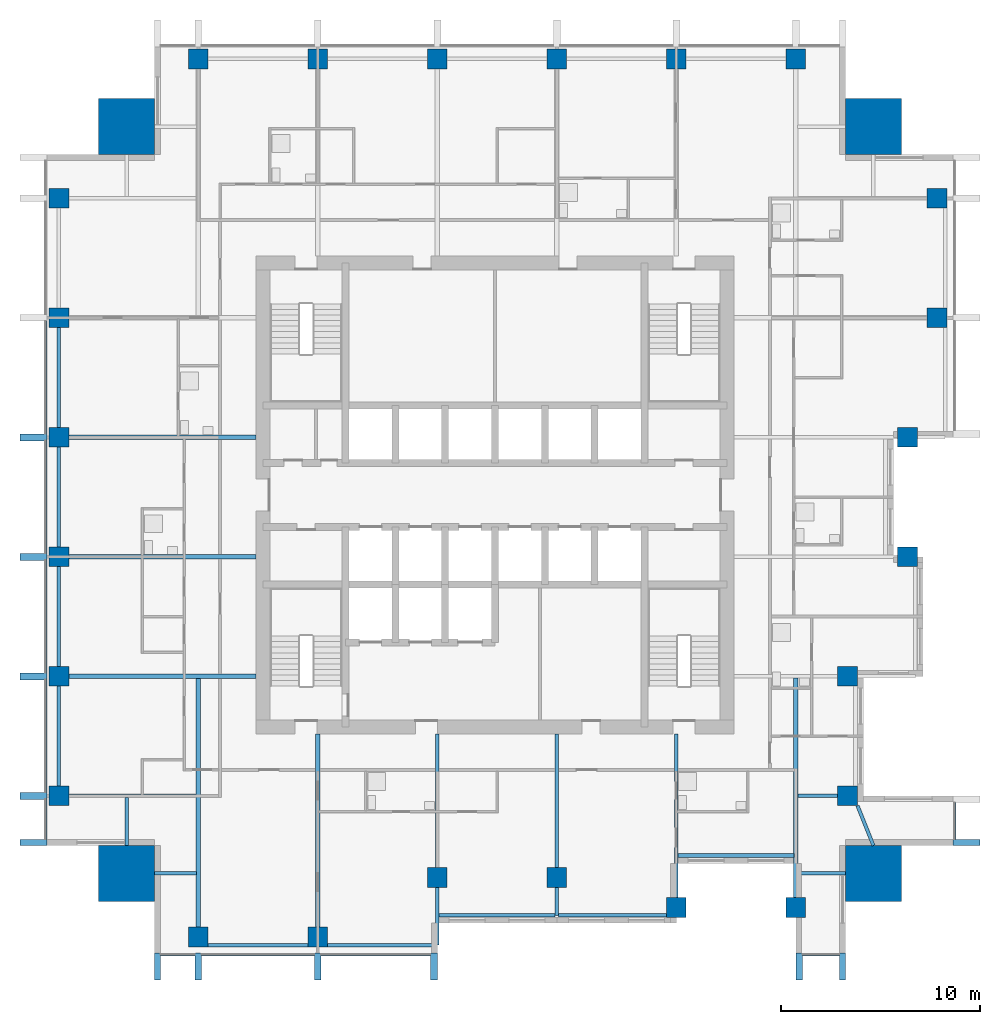
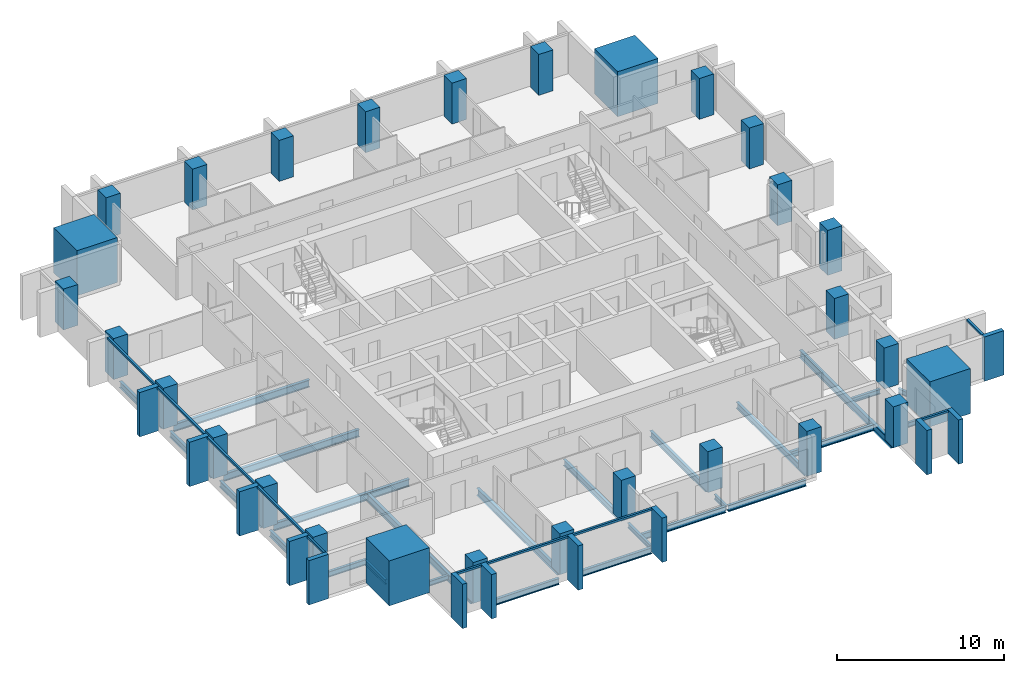
# One storey, part 1 of 10: 28 columns, 26 beams, 22 members, 4 elements without a shape of their own.
"""IFC4 building model written with IfcOpenShell, lengths in metres."""

import ifcopenshell
import ifcopenshell.guid

model = None  # the IFC model being written
_history = None  # IfcOwnerHistory: only IFC2X3 demands one
_inside = {}  # id of a spatial element -> (the spatial element, [elements in it])
_under = {}  # id of a project, library or spatial element -> (it, [spatial elements below it])
_declared = {}  # id of a project -> (the project, [libraries it declares])
_typed = {}  # id of a type object -> (the type object, [elements of that type])
_made_of = {}  # id of a material, layer set ... -> (it, [elements and type objects made of it])


def new_model(schema):
    """Start an empty IFC model of exactly this schema.

    Asked for "IFC4X3", IfcOpenShell would pick the latest addendum, in which some entities
    have other attributes; the version numbers below select the first issue.
    IFC2X3 requires an IfcOwnerHistory on every rooted entity: one is made here for all.
    """
    global model, _history
    if schema == "IFC4X3":
        model = ifcopenshell.file(schema_version=(4, 3, 0, 0))
    else:
        model = ifcopenshell.file(schema=schema)
    _inside.clear()
    _under.clear()
    _declared.clear()
    _typed.clear()
    _made_of.clear()
    _history = None
    if model.schema == "IFC2X3":
        org = make("IfcOrganization", Name="unknown")
        user = make(
            "IfcPersonAndOrganization",
            ThePerson=make("IfcPerson", FamilyName="unknown"),
            TheOrganization=org,
        )
        app = make(
            "IfcApplication",
            ApplicationDeveloper=org,
            Version="unknown",
            ApplicationFullName="unknown",
            ApplicationIdentifier="unknown",
        )
        _history = make(
            "IfcOwnerHistory",
            OwningUser=user,
            OwningApplication=app,
            ChangeAction="ADDED",
            CreationDate=0,
        )
    return model


def make(cls, **values):
    """One entity of the class cls with the attributes given. An attribute that is None is left unset."""
    return model.create_entity(
        cls, **{name: value for name, value in values.items() if value is not None}
    )


def rooted(cls, **values):
    """An entity with a GlobalId (a new one), such as an element, a storey or a relation."""
    return make(cls, GlobalId=ifcopenshell.guid.new(), OwnerHistory=_history, **values)


def si_unit(unit_type, name, prefix=None):
    """IfcSIUnit, for example si_unit("LENGTHUNIT", "METRE", prefix="MILLI")."""
    return make("IfcSIUnit", UnitType=unit_type, Prefix=prefix, Name=name)


def assignment(units):
    """IfcUnitAssignment: the units of a project."""
    return None if units is None else make("IfcUnitAssignment", Units=units)


def point(xyz):
    """IfcCartesianPoint."""
    return None if xyz is None else make("IfcCartesianPoint", Coordinates=xyz)


def direction(xyz):
    """IfcDirection."""
    return None if xyz is None else make("IfcDirection", DirectionRatios=xyz)


def frame(location, z_axis=None, x_axis=None):
    """IfcAxis2Placement3D, a coordinate frame: its origin and axes. An axis left out is left unset."""
    return make(
        "IfcAxis2Placement3D",
        Location=point(location),
        Axis=direction(z_axis),
        RefDirection=direction(x_axis),
    )


def frame_2d(location, x_axis=None):
    """IfcAxis2Placement2D, a coordinate frame in the plane: its origin and x axis."""
    return make(
        "IfcAxis2Placement2D", Location=point(location), RefDirection=direction(x_axis)
    )


def origin():
    """The frame at (0, 0, 0) with its axes left unset."""
    return frame((0.0, 0.0, 0.0))


def origin_2d():
    """The frame at (0, 0) in the plane with its x axis left unset."""
    return frame_2d((0.0, 0.0))


def place(relative_to, where):
    """IfcLocalPlacement: puts the frame where relative to a parent placement (None: the world)."""
    return make(
        "IfcLocalPlacement", PlacementRelTo=relative_to, RelativePlacement=where
    )


def context(
    kind, dimensions, precision=None, world=None, true_north=None, identifier=None
):
    """IfcGeometricRepresentationContext, for example the 3D "Model" context."""
    return make(
        "IfcGeometricRepresentationContext",
        ContextIdentifier=identifier,
        ContextType=kind,
        CoordinateSpaceDimension=dimensions,
        Precision=precision,
        WorldCoordinateSystem=world,
        TrueNorth=true_north,
    )


def subcontext(parent, identifier, kind, view, scale=None):
    """IfcGeometricRepresentationSubContext, for example "Body" below "Model"."""
    return make(
        "IfcGeometricRepresentationSubContext",
        ContextIdentifier=identifier,
        ContextType=kind,
        ParentContext=parent,
        TargetScale=scale,
        TargetView=view,
    )


def project(units=None, contexts=None):
    """IfcProject with its units and contexts."""
    return rooted(
        "IfcProject",
        Name="project",
        RepresentationContexts=contexts,
        UnitsInContext=assignment(units),
    )


def spatial(cls, under=None, at=None, **own):
    """A site, building, storey or space (cls), placed at a placement, below another one or the project."""
    s = rooted(cls, ObjectPlacement=at, **own)
    if under is not None:
        _under.setdefault(under.id(), (under, []))[1].append(s)
    return s


def profile(cls, at=None, kind="AREA", **sizes):
    """A parametric profile (cls). Its sizes go by their IFC names, for example OverallWidth=200.0."""
    return make(cls, ProfileType=kind, Position=at, **sizes)


def rectangle(**sizes):
    """IfcRectangleProfileDef."""
    return profile("IfcRectangleProfileDef", **sizes)


def i_section(**sizes):
    """IfcIShapeProfileDef."""
    return profile("IfcIShapeProfileDef", **sizes)


def extrude(swept, where, along, depth):
    """IfcExtrudedAreaSolid: the profile swept, set in the frame where, extruded along a direction by depth."""
    return make(
        "IfcExtrudedAreaSolid",
        SweptArea=swept,
        Position=where,
        ExtrudedDirection=direction(along),
        Depth=depth,
    )


def shape(context_of_items, identifier, shape_type, items):
    """IfcShapeRepresentation: the items that make up one representation, for example the "Body"."""
    return make(
        "IfcShapeRepresentation",
        ContextOfItems=context_of_items,
        RepresentationIdentifier=identifier,
        RepresentationType=shape_type,
        Items=items,
    )


def material(Name=None, Category=None):
    """IfcMaterial."""
    return make("IfcMaterial", Name=Name, Category=Category)


def material_profile(
    of_material, cross_section, Name=None, Category=None, Priority=None
):
    """IfcMaterialProfile: a cross section and its material."""
    return make(
        "IfcMaterialProfile",
        Name=Name,
        Material=of_material,
        Profile=cross_section,
        Priority=Priority,
        Category=Category,
    )


def profile_set(profiles, Name=None, composite=None):
    """IfcMaterialProfileSet."""
    return make(
        "IfcMaterialProfileSet",
        Name=Name,
        MaterialProfiles=profiles,
        CompositeProfile=composite,
    )


def made_of(thing, what):
    """Note that an element or type object is made of a material, layer set ...; save() writes the relation."""
    if what is not None:
        _made_of.setdefault(what.id(), (what, []))[1].append(thing)
    return thing


def type_object(cls, material=None, **own):
    """A type object (cls), such as IfcWallType, which elements share."""
    return made_of(rooted(cls, **own), material)


def element(
    cls,
    number,
    at=None,
    inside=None,
    cuts=None,
    type_object=None,
    material=None,
    context=None,
    identifier="Body",
    shape_type=None,
    held_by="IfcProductDefinitionShape",
    body=None,
    shapes=None,
    **own,
):
    """One element of the class cls, such as IfcWall. Its Tag is "e" and its number.

    at: its placement. inside: the storey or other place that contains it. cuts: it is an
    opening in that element (IfcRelVoidsElement). A single representation is given by context,
    identifier, shape_type and body (its items); several are given by shapes. held_by: the class
    of the entity that holds the representations. save() writes the other relations.
    """
    e = rooted(cls, Tag="e%d" % number, ObjectPlacement=at, **own)
    if body is not None:
        shapes = [shape(context, identifier, shape_type, body)]
    if shapes is not None:
        e.Representation = make(held_by, Representations=shapes)
    if inside is not None:
        _inside.setdefault(inside.id(), (inside, []))[1].append(e)
    if cuts is not None:
        rooted(
            "IfcRelVoidsElement", RelatingBuildingElement=cuts, RelatedOpeningElement=e
        )
    if type_object is not None:
        _typed.setdefault(type_object.id(), (type_object, []))[1].append(e)
    return made_of(e, material)


def aggregate(whole, parts):
    """IfcRelAggregates: a whole, such as a stair, and the parts it consists of."""
    return rooted("IfcRelAggregates", RelatingObject=whole, RelatedObjects=parts)


def save(model, path):
    """Write the relations noted so far, then the file.

    IfcRelAggregates (storeys below a building ...), IfcRelContainedInSpatialStructure (elements
    in a storey), IfcRelDefinesByType, IfcRelAssociatesMaterial and IfcRelDeclares: one each for
    every whole, place, type object, material and project.
    """
    for whole, parts in _under.values():
        aggregate(whole, parts)
    for where, things in _inside.values():
        rooted(
            "IfcRelContainedInSpatialStructure",
            RelatedElements=things,
            RelatingStructure=where,
        )
    for kind, things in _typed.values():
        rooted("IfcRelDefinesByType", RelatedObjects=things, RelatingType=kind)
    for what, things in _made_of.values():
        rooted("IfcRelAssociatesMaterial", RelatedObjects=things, RelatingMaterial=what)
    for by, libraries in _declared.values():
        rooted("IfcRelDeclares", RelatingContext=by, RelatedDefinitions=libraries)
    model.write(path)


model = new_model("IFC4")

# Units and contexts
model_context = context("Model", 3, precision=1e-05, world=origin(), true_north=direction((0.0, 1.0)))
body_context = subcontext(model_context, "Body", "Model", "MODEL_VIEW")
ifc_project = project(units=[si_unit("LENGTHUNIT", "METRE"), si_unit("AREAUNIT", "SQUARE_METRE"), si_unit("VOLUMEUNIT", "CUBIC_METRE"), si_unit("PLANEANGLEUNIT", "RADIAN"), si_unit("MASSUNIT", "GRAM", prefix="KILO")], contexts=[model_context])

# Site, building, storey
site_placement = place(None, origin())
site = spatial("IfcSite", under=ifc_project, at=site_placement, CompositionType="ELEMENT")
building_placement = place(site_placement, origin())
building = spatial("IfcBuilding", under=site, at=building_placement, Name="Amberfall Residences", CompositionType="ELEMENT")
storey_placement = place(building_placement, frame((0.0, 0.0, 147.10009765625)))
storey = spatial("IfcBuildingStorey", under=building, at=storey_placement, Name="L39", CompositionType="ELEMENT", Elevation=147.10009765625)

# Columns
ifc_material_1 = material(Name="Concrete C60", Category="concrete")
ifc_material_profile_1 = material_profile(ifc_material_1, rectangle(XDim=1.0, YDim=1.0, at=origin_2d()), Name="Column 1000 x 1000 C60")
ifc_profile_set_1 = profile_set([ifc_material_profile_1], Name="Concrete C60")
column_type_1 = type_object("IfcColumnType", Name="Column 1000 x 1000 C60", PredefinedType="COLUMN", material=ifc_profile_set_1)
for number, where, z_axis, x_axis, name in (
    (1, (59.60009765625, 23.300048828125, 0.0), (0.0, 0.0, 1.0), (1.0, 0.0, 0.0), "Column C3 L39 S1"),
    (2, (65.60009765625, 23.300048828125, 0.0), (0.0, 0.0, 1.0), (1.0, 0.0, 0.0), "Column C3 L39 S2"),
    (3, (71.60009765625, 26.300048828125, 0.0), (0.0, 0.0, 1.0), (1.0, 0.0, 0.0), "Column C3 L39 S3"),
    (4, (77.60009765625, 26.300048828125, 0.0), (0.0, 0.0, 1.0), (1.0, 0.0, 0.0), "Column C3 L39 S4"),
):
    element("IfcColumn", number, at=place(storey_placement, frame(where, z_axis=z_axis, x_axis=x_axis)), inside=storey, type_object=column_type_1, Name=name, PredefinedType="COLUMN", context=body_context, shape_type="SweptSolid", body=[
        extrude(rectangle(XDim=1.0, YDim=1.0, at=origin_2d()), origin(), (0.0, 0.0, 1.0), 3.0),
    ])
column_1_placement = place(storey_placement, frame((83.60009765625, 24.800048828125, 0.0), z_axis=(0.0, 0.0, 1.0), x_axis=(1.0, 0.0, 0.0)))
element("IfcColumn", 5, at=column_1_placement, inside=storey, type_object=column_type_1, Name="Column C3 L39 S5", PredefinedType="COLUMN", context=body_context, shape_type="SweptSolid", body=[
    extrude(rectangle(XDim=1.0, YDim=1.0, at=origin_2d()), origin(), (0.0, 0.0, 1.0), 3.2998046875),
])
for number, where, z_axis, x_axis, name in (
    (6, (89.60009765625, 24.800048828125, 0.0), (0.0, 0.0, 1.0), (1.0, 0.0, 0.0), "Column C3 L39 S6"),
    (7, (92.199951171875, 30.39990234375, 0.0), (0.0, 0.0, 1.0), (1.0, 0.0, 0.0), "Column C3 L39 E1"),
    (8, (92.199951171875, 36.39990234375, 0.0), (0.0, 0.0, 1.0), (1.0, 0.0, 0.0), "Column C3 L39 E2"),
):
    element("IfcColumn", number, at=place(storey_placement, frame(where, z_axis=z_axis, x_axis=x_axis)), inside=storey, type_object=column_type_1, Name=name, PredefinedType="COLUMN", context=body_context, shape_type="SweptSolid", body=[
        extrude(rectangle(XDim=1.0, YDim=1.0, at=origin_2d()), origin(), (0.0, 0.0, 1.0), 3.0),
    ])
column_2_placement = place(storey_placement, frame((95.199951171875, 42.39990234375, 0.0), z_axis=(0.0, 0.0, 1.0), x_axis=(1.0, 0.0, 0.0)))
element("IfcColumn", 9, at=column_2_placement, inside=storey, type_object=column_type_1, Name="Column C3 L39 E3", PredefinedType="COLUMN", context=body_context, shape_type="SweptSolid", body=[
    extrude(rectangle(XDim=1.0, YDim=1.0, at=origin_2d()), origin(), (0.0, 0.0, 1.0), 3.2998046875),
])
for number, where, z_axis, x_axis, name in (
    (10, (95.199951171875, 48.39990234375, 0.0), (0.0, 0.0, 1.0), (1.0, 0.0, 0.0), "Column C3 L39 E4"),
    (11, (96.699951171875, 54.39990234375, 0.0), (0.0, 0.0, 1.0), (1.0, 0.0, 0.0), "Column C3 L39 E5"),
    (12, (96.699951171875, 60.39990234375, 0.0), (0.0, 0.0, 1.0), (1.0, 0.0, 0.0), "Column C3 L39 E6"),
    (13, (59.60009765625, 67.39990234375, 0.0), (0.0, 0.0, 1.0), (1.0, 0.0, 0.0), "Column C3 L39 N1"),
    (14, (65.60009765625, 67.39990234375, 0.0), (0.0, 0.0, 1.0), (1.0, 0.0, 0.0), "Column C3 L39 N2"),
    (15, (71.60009765625, 67.39990234375, 0.0), (0.0, 0.0, 1.0), (1.0, 0.0, 0.0), "Column C3 L39 N3"),
    (16, (77.60009765625, 67.39990234375, 0.0), (0.0, 0.0, 1.0), (1.0, 0.0, 0.0), "Column C3 L39 N4"),
    (17, (83.60009765625, 67.39990234375, 0.0), (0.0, 0.0, 1.0), (1.0, 0.0, 0.0), "Column C3 L39 N5"),
    (18, (89.60009765625, 67.39990234375, 0.0), (0.0, 0.0, 1.0), (1.0, 0.0, 0.0), "Column C3 L39 N6"),
    (19, (52.60009765625, 30.39990234375, 0.0), (0.0, 0.0, 1.0), (1.0, 0.0, 0.0), "Column C3 L39 W1"),
    (20, (52.60009765625, 36.39990234375, 0.0), (0.0, 0.0, 1.0), (1.0, 0.0, 0.0), "Column C3 L39 W2"),
    (21, (52.60009765625, 42.39990234375, 0.0), (0.0, 0.0, 1.0), (1.0, 0.0, 0.0), "Column C3 L39 W3"),
    (22, (52.60009765625, 48.39990234375, 0.0), (0.0, 0.0, 1.0), (1.0, 0.0, 0.0), "Column C3 L39 W4"),
    (23, (52.60009765625, 54.39990234375, 0.0), (0.0, 0.0, 1.0), (1.0, 0.0, 0.0), "Column C3 L39 W5"),
    (24, (52.60009765625, 60.39990234375, 0.0), (0.0, 0.0, 1.0), (1.0, 0.0, 0.0), "Column C3 L39 W6"),
):
    element("IfcColumn", number, at=place(storey_placement, frame(where, z_axis=z_axis, x_axis=x_axis)), inside=storey, type_object=column_type_1, Name=name, PredefinedType="COLUMN", context=body_context, shape_type="SweptSolid", body=[
        extrude(rectangle(XDim=1.0, YDim=1.0, at=origin_2d()), origin(), (0.0, 0.0, 1.0), 3.0),
    ])
ifc_material_profile_2 = material_profile(ifc_material_1, rectangle(XDim=2.800048828125, YDim=2.800048828125, at=origin_2d()), Name="Mega column 2800 x 2800 C60")
ifc_profile_set_2 = profile_set([ifc_material_profile_2], Name="Concrete C60")
column_type_2 = type_object("IfcColumnType", Name="Mega column 2800 x 2800 C60", PredefinedType="COLUMN", material=ifc_profile_set_2)
for number, where, z_axis, x_axis, name in (
    (25, (56.0, 26.5, 0.0), (0.0, 0.0, 1.0), (1.0, 0.0, 0.0), "Mega column MC5 L39 SW"),
    (26, (93.5, 26.5, 0.0), (0.0, 0.0, 1.0), (1.0, 0.0, 0.0), "Mega column MC5 L39 SE"),
    (27, (93.5, 64.0, 0.0), (0.0, 0.0, 1.0), (1.0, 0.0, 0.0), "Mega column MC5 L39 NE"),
    (28, (56.0, 64.0, 0.0), (0.0, 0.0, 1.0), (1.0, 0.0, 0.0), "Mega column MC5 L39 NW"),
):
    element("IfcColumn", number, at=place(storey_placement, frame(where, z_axis=z_axis, x_axis=x_axis)), inside=storey, type_object=column_type_2, Name=name, PredefinedType="COLUMN", context=body_context, shape_type="SweptSolid", body=[
        extrude(rectangle(XDim=2.800048828125, YDim=2.800048828125, at=origin_2d()), origin(), (0.0, 0.0, 1.0), 3.2998046875),
    ])

# Curtain wall, members
ifc_material_2 = material(Name="Bronze anodised aluminium and glass", Category="aluminium")
curtain_wall_type = type_object("IfcCurtainWallType", Name="Curtain wall CW1 tower unit", PredefinedType="USERDEFINED", material=ifc_material_2)
curtain_wall_1_placement = place(storey_placement, origin())
curtain_wall_1 = element("IfcCurtainWall", 29, at=curtain_wall_1_placement, inside=storey, type_object=curtain_wall_type, Name="Curtain wall L39 S S1", ObjectType="UNITISED CURTAIN WALL", PredefinedType="USERDEFINED")
ifc_material_3 = material(Name="Bronze anodised aluminium", Category="aluminium")
ifc_material_profile_3 = material_profile(ifc_material_3, rectangle(XDim=0.14990234375, YDim=0.14990234375, at=origin_2d()), Name="CW1 transom 150 x 150 bronze")
ifc_profile_set_3 = profile_set([ifc_material_profile_3], Name="Bronze anodised aluminium")
member_type_1 = type_object("IfcMemberType", Name="CW1 transom 150 x 150 bronze", PredefinedType="USERDEFINED", material=ifc_profile_set_3)
member_1_placement = place(storey_placement, frame((57.699951171875, 22.425048828125, 2.9248046875), z_axis=(1.0, 0.0, 0.0), x_axis=(0.0, 1.0, 0.0)))
member_1 = element("IfcMember", 30, at=member_1_placement, type_object=member_type_1, Name="CW1 transom 1.1", ObjectType="TRANSOM", PredefinedType="USERDEFINED", context=body_context, shape_type="SweptSolid", body=[
    extrude(rectangle(XDim=0.14990234375, YDim=0.14990234375, at=origin_2d()), origin(), (0.0, 0.0, 1.0), 1.72509765625),
])
member_2_placement = place(storey_placement, frame((59.77490234375, 22.425048828125, 2.9248046875), z_axis=(1.0, 0.0, 0.0), x_axis=(0.0, 1.0, 0.0)))
member_2 = element("IfcMember", 31, at=member_2_placement, type_object=member_type_1, Name="CW1 transom 2.1", ObjectType="TRANSOM", PredefinedType="USERDEFINED", context=body_context, shape_type="SweptSolid", body=[
    extrude(rectangle(XDim=0.14990234375, YDim=0.14990234375, at=origin_2d()), origin(), (0.0, 0.0, 1.0), 5.650146484375),
])
member_3_placement = place(storey_placement, frame((65.77490234375, 22.425048828125, 2.9248046875), z_axis=(1.0, 0.0, 0.0), x_axis=(0.0, 1.0, 0.0)))
member_3 = element("IfcMember", 32, at=member_3_placement, type_object=member_type_1, Name="CW1 transom 3.1", ObjectType="TRANSOM", PredefinedType="USERDEFINED", context=body_context, shape_type="SweptSolid", body=[
    extrude(rectangle(XDim=0.14990234375, YDim=0.14990234375, at=origin_2d()), origin(), (0.0, 0.0, 1.0), 5.47509765625),
])

# Curtain wall, member
curtain_wall_2_placement = place(storey_placement, origin())
curtain_wall_2 = element("IfcCurtainWall", 33, at=curtain_wall_2_placement, inside=storey, type_object=curtain_wall_type, Name="Curtain wall L39 S S8", ObjectType="UNITISED CURTAIN WALL", PredefinedType="USERDEFINED")
member_4_placement = place(storey_placement, frame((89.949951171875, 22.425048828125, 2.9248046875), z_axis=(1.0, 0.0, 0.0), x_axis=(0.0, 1.0, 0.0)))
member_4 = element("IfcMember", 34, at=member_4_placement, type_object=member_type_1, Name="CW1 transom 1.1", ObjectType="TRANSOM", PredefinedType="USERDEFINED", context=body_context, shape_type="SweptSolid", body=[
    extrude(rectangle(XDim=0.14990234375, YDim=0.14990234375, at=origin_2d()), origin(), (0.0, 0.0, 1.0), 1.85009765625),
])

curtain_wall_3_placement = place(storey_placement, origin())
curtain_wall_3 = element("IfcCurtainWall", 35, at=curtain_wall_3_placement, inside=storey, type_object=curtain_wall_type, Name="Curtain wall L39 E E1", ObjectType="UNITISED CURTAIN WALL", PredefinedType="USERDEFINED")
member_5_placement = place(storey_placement, frame((97.574951171875, 28.199951171875, 2.9248046875), z_axis=(0.0, 1.0, 0.0), x_axis=(-1.0, 0.0, 0.0)))
member_5 = element("IfcMember", 36, at=member_5_placement, type_object=member_type_1, Name="CW1 transom 1.1", ObjectType="TRANSOM", PredefinedType="USERDEFINED", context=body_context, shape_type="SweptSolid", body=[
    extrude(rectangle(XDim=0.14990234375, YDim=0.14990234375, at=origin_2d()), origin(), (0.0, 0.0, 1.0), 1.85009765625),
])

# Curtain wall, members
curtain_wall_4_placement = place(storey_placement, origin())
curtain_wall_4 = element("IfcCurtainWall", 37, at=curtain_wall_4_placement, inside=storey, type_object=curtain_wall_type, Name="Curtain wall L39 W W1", ObjectType="UNITISED CURTAIN WALL", PredefinedType="USERDEFINED")
member_6_placement = place(storey_placement, frame((51.925048828125, 54.22509765625, 2.9248046875), z_axis=(0.0, -1.0, 0.0), x_axis=(1.0, 0.0, 0.0)))
member_6 = element("IfcMember", 38, at=member_6_placement, type_object=member_type_1, Name="CW1 transom 3.1", ObjectType="TRANSOM", PredefinedType="USERDEFINED", context=body_context, shape_type="SweptSolid", body=[
    extrude(rectangle(XDim=0.14990234375, YDim=0.14990234375, at=origin_2d()), origin(), (0.0, 0.0, 1.0), 5.650146484375),
])
member_7_placement = place(storey_placement, frame((51.925048828125, 48.22509765625, 2.9248046875), z_axis=(0.0, -1.0, 0.0), x_axis=(1.0, 0.0, 0.0)))
member_7 = element("IfcMember", 39, at=member_7_placement, type_object=member_type_1, Name="CW1 transom 4.1", ObjectType="TRANSOM", PredefinedType="USERDEFINED", context=body_context, shape_type="SweptSolid", body=[
    extrude(rectangle(XDim=0.14990234375, YDim=0.14990234375, at=origin_2d()), origin(), (0.0, 0.0, 1.0), 5.650146484375),
])
member_8_placement = place(storey_placement, frame((51.925048828125, 42.22509765625, 2.9248046875), z_axis=(0.0, -1.0, 0.0), x_axis=(1.0, 0.0, 0.0)))
member_8 = element("IfcMember", 40, at=member_8_placement, type_object=member_type_1, Name="CW1 transom 5.1", ObjectType="TRANSOM", PredefinedType="USERDEFINED", context=body_context, shape_type="SweptSolid", body=[
    extrude(rectangle(XDim=0.14990234375, YDim=0.14990234375, at=origin_2d()), origin(), (0.0, 0.0, 1.0), 5.650146484375),
])
member_9_placement = place(storey_placement, frame((51.925048828125, 36.22509765625, 2.9248046875), z_axis=(0.0, -1.0, 0.0), x_axis=(1.0, 0.0, 0.0)))
member_9 = element("IfcMember", 41, at=member_9_placement, type_object=member_type_1, Name="CW1 transom 6.1", ObjectType="TRANSOM", PredefinedType="USERDEFINED", context=body_context, shape_type="SweptSolid", body=[
    extrude(rectangle(XDim=0.14990234375, YDim=0.14990234375, at=origin_2d()), origin(), (0.0, 0.0, 1.0), 5.650146484375),
])
member_10_placement = place(storey_placement, frame((51.925048828125, 30.22509765625, 2.9248046875), z_axis=(0.0, -1.0, 0.0), x_axis=(1.0, 0.0, 0.0)))
member_10 = element("IfcMember", 42, at=member_10_placement, type_object=member_type_1, Name="CW1 transom 7.1", ObjectType="TRANSOM", PredefinedType="USERDEFINED", context=body_context, shape_type="SweptSolid", body=[
    extrude(rectangle(XDim=0.14990234375, YDim=0.14990234375, at=origin_2d()), origin(), (0.0, 0.0, 1.0), 2.025146484375),
])

# Beams
ifc_material_4 = material(Name="Steel S355", Category="steel")
ifc_material_profile_4 = material_profile(ifc_material_4, i_section(OverallWidth=0.171142578125, OverallDepth=0.351318359375, WebThickness=0.007080078125, FlangeThickness=0.009765625, FilletRadius=0.01025390625, at=origin_2d()), Name="UB 356x171x45")
ifc_profile_set_4 = profile_set([ifc_material_profile_4], Name="Steel S355")
beam_type_1 = type_object("IfcBeamType", Name="Cantilever girder UB 356x171x45", PredefinedType="BEAM", material=ifc_profile_set_4)
beam_1_placement = place(storey_placement, frame((71.60009765625, 25.800048828125, -0.42578125), z_axis=(0.0, -1.0, 0.0), x_axis=(1.0, 0.0, 0.0)))
element("IfcBeam", 43, at=beam_1_placement, inside=storey, type_object=beam_type_1, Name="Cantilever girder B8 L39 06", PredefinedType="BEAM", context=body_context, shape_type="SweptSolid", body=[
    extrude(i_section(OverallWidth=0.171142578125, OverallDepth=0.351318359375, WebThickness=0.007080078125, FlangeThickness=0.009765625, FilletRadius=0.01025390625, at=origin_2d()), origin(), (0.0, 0.0, 1.0), 2.900146484375),
])
beam_2_placement = place(storey_placement, frame((77.60009765625, 25.800048828125, -0.42578125), z_axis=(0.0, -1.0, 0.0), x_axis=(1.0, 0.0, 0.0)))
element("IfcBeam", 44, at=beam_2_placement, inside=storey, type_object=beam_type_1, Name="Cantilever girder B8 L39 07", PredefinedType="BEAM", context=body_context, shape_type="SweptSolid", body=[
    extrude(i_section(OverallWidth=0.171142578125, OverallDepth=0.351318359375, WebThickness=0.007080078125, FlangeThickness=0.009765625, FilletRadius=0.01025390625, at=origin_2d()), origin(), (0.0, 0.0, 1.0), 1.400146484375),
])

# Member
ifc_material_profile_5 = material_profile(ifc_material_3, rectangle(XDim=1.35009765625, YDim=0.300048828125, at=origin_2d()), Name="Corner fin 300 x 1350 bronze")
ifc_profile_set_5 = profile_set([ifc_material_profile_5], Name="Bronze anodised aluminium")
member_type_2 = type_object("IfcMemberType", Name="Corner fin 300 x 1350 bronze", PredefinedType="MULLION", material=ifc_profile_set_5)
member_11_placement = place(storey_placement, frame((57.550048828125, 21.824951171875, -0.25), z_axis=(0.0, 0.0, 1.0), x_axis=(0.0, 1.0, 0.0)))
member_11 = element("IfcMember", 45, at=member_11_placement, type_object=member_type_2, Name="CW FIN 1", PredefinedType="MULLION", context=body_context, shape_type="SweptSolid", body=[
    extrude(rectangle(XDim=1.35009765625, YDim=0.300048828125, at=origin_2d()), origin(), (0.0, 0.0, 1.0), 3.25),
])

member_12_placement = place(storey_placement, frame((91.949951171875, 21.824951171875, -0.25), z_axis=(0.0, 0.0, 1.0), x_axis=(0.0, 1.0, 0.0)))
member_12 = element("IfcMember", 46, at=member_12_placement, type_object=member_type_2, Name="CW FIN 2", PredefinedType="MULLION", context=body_context, shape_type="SweptSolid", body=[
    extrude(rectangle(XDim=1.35009765625, YDim=0.300048828125, at=origin_2d()), origin(), (0.0, 0.0, 1.0), 3.25),
])

member_13_placement = place(storey_placement, frame((98.175048828125, 28.050048828125, -0.25), z_axis=(0.0, 0.0, 1.0), x_axis=(-1.0, 0.0, 0.0)))
member_13 = element("IfcMember", 47, at=member_13_placement, type_object=member_type_2, Name="CW FIN 1", PredefinedType="MULLION", context=body_context, shape_type="SweptSolid", body=[
    extrude(rectangle(XDim=1.35009765625, YDim=0.300048828125, at=origin_2d()), origin(), (0.0, 0.0, 1.0), 3.25),
])

aggregate(curtain_wall_3, [member_13, member_5])

member_14_placement = place(storey_placement, frame((51.324951171875, 28.050048828125, -0.25), z_axis=(0.0, 0.0, 1.0), x_axis=(1.0, 0.0, 0.0)))
member_14 = element("IfcMember", 48, at=member_14_placement, type_object=member_type_2, Name="CW FIN 8", PredefinedType="MULLION", context=body_context, shape_type="SweptSolid", body=[
    extrude(rectangle(XDim=1.35009765625, YDim=0.300048828125, at=origin_2d()), origin(), (0.0, 0.0, 1.0), 3.25),
])

# Beams
ifc_material_profile_6 = material_profile(ifc_material_4, i_section(OverallWidth=0.18994140625, OverallDepth=0.453369140625, WebThickness=0.008544921875, FlangeThickness=0.0126953125, FilletRadius=0.01025390625, at=origin_2d()), Name="UB 457x191x67")
ifc_profile_set_6 = profile_set([ifc_material_profile_6], Name="Steel S355")
beam_type_2 = type_object("IfcBeamType", Name="Edge beam UB 457x191x67", PredefinedType="SPANDREL", material=ifc_profile_set_6)
beam_3_placement = place(storey_placement, frame((60.10009765625, 22.89990234375, -0.476806640625), z_axis=(1.0, 0.0, 0.0), x_axis=(0.0, 1.0, 0.0)))
element("IfcBeam", 49, at=beam_3_placement, inside=storey, type_object=beam_type_2, Name="Edge beam B1 L39 01", PredefinedType="SPANDREL", context=body_context, shape_type="SweptSolid", body=[
    extrude(i_section(OverallWidth=0.18994140625, OverallDepth=0.453369140625, WebThickness=0.008544921875, FlangeThickness=0.0126953125, FilletRadius=0.01025390625, at=origin_2d()), origin(), (0.0, 0.0, 1.0), 5.0),
])
beam_4_placement = place(storey_placement, frame((66.10009765625, 22.89990234375, -0.476806640625), z_axis=(1.0, 0.0, 0.0), x_axis=(0.0, 1.0, 0.0)))
element("IfcBeam", 50, at=beam_4_placement, inside=storey, type_object=beam_type_2, Name="Edge beam B1 L39 02", PredefinedType="SPANDREL", context=body_context, shape_type="SweptSolid", body=[
    extrude(i_section(OverallWidth=0.18994140625, OverallDepth=0.453369140625, WebThickness=0.008544921875, FlangeThickness=0.0126953125, FilletRadius=0.01025390625, at=origin_2d()), origin(), (0.0, 0.0, 1.0), 5.419921875),
])
beam_5_placement = place(storey_placement, frame((71.679931640625, 24.39990234375, -0.476806640625), z_axis=(1.0, 0.0, 0.0), x_axis=(0.0, 1.0, 0.0)))
element("IfcBeam", 51, at=beam_5_placement, inside=storey, type_object=beam_type_2, Name="Edge beam B1 L39 03", PredefinedType="SPANDREL", context=body_context, shape_type="SweptSolid", body=[
    extrude(i_section(OverallWidth=0.18994140625, OverallDepth=0.453369140625, WebThickness=0.008544921875, FlangeThickness=0.0126953125, FilletRadius=0.01025390625, at=origin_2d()), origin(), (0.0, 0.0, 1.0), 5.840087890625),
])
beam_6_placement = place(storey_placement, frame((77.679931640625, 24.39990234375, -0.476806640625), z_axis=(1.0, 0.0, 0.0), x_axis=(0.0, 1.0, 0.0)))
element("IfcBeam", 52, at=beam_6_placement, inside=storey, type_object=beam_type_2, Name="Edge beam B1 L39 04", PredefinedType="SPANDREL", context=body_context, shape_type="SweptSolid", body=[
    extrude(i_section(OverallWidth=0.18994140625, OverallDepth=0.453369140625, WebThickness=0.008544921875, FlangeThickness=0.0126953125, FilletRadius=0.01025390625, at=origin_2d()), origin(), (0.0, 0.0, 1.0), 5.420166015625),
])
beam_7_placement = place(storey_placement, frame((83.679931640625, 27.39990234375, -0.476806640625), z_axis=(1.0, 0.0, 0.0), x_axis=(0.0, 1.0, 0.0)))
element("IfcBeam", 53, at=beam_7_placement, inside=storey, type_object=beam_type_2, Name="Edge beam B1 L39 05", PredefinedType="SPANDREL", context=body_context, shape_type="SweptSolid", body=[
    extrude(i_section(OverallWidth=0.18994140625, OverallDepth=0.453369140625, WebThickness=0.008544921875, FlangeThickness=0.0126953125, FilletRadius=0.01025390625, at=origin_2d()), origin(), (0.0, 0.0, 1.0), 5.840087890625),
])
for number, where, z_axis, x_axis, name in (
    (54, (52.60009765625, 30.89990234375, -0.476806640625), (0.0, 1.0, 0.0), (-1.0, 0.0, 0.0), "Edge beam B1 L39 38"),
    (55, (52.60009765625, 36.89990234375, -0.476806640625), (0.0, 1.0, 0.0), (-1.0, 0.0, 0.0), "Edge beam B1 L39 39"),
    (56, (52.60009765625, 42.89990234375, -0.476806640625), (0.0, 1.0, 0.0), (-1.0, 0.0, 0.0), "Edge beam B1 L39 40"),
    (57, (52.60009765625, 48.89990234375, -0.476806640625), (0.0, 1.0, 0.0), (-1.0, 0.0, 0.0), "Edge beam B1 L39 41"),
):
    element("IfcBeam", number, at=place(storey_placement, frame(where, z_axis=z_axis, x_axis=x_axis)), inside=storey, type_object=beam_type_2, Name=name, PredefinedType="SPANDREL", context=body_context, shape_type="SweptSolid", body=[
        extrude(i_section(OverallWidth=0.18994140625, OverallDepth=0.453369140625, WebThickness=0.008544921875, FlangeThickness=0.0126953125, FilletRadius=0.01025390625, at=origin_2d()), origin(), (0.0, 0.0, 1.0), 5.0),
    ])

# Member
ifc_material_profile_7 = material_profile(ifc_material_3, rectangle(XDim=1.35009765625, YDim=0.35009765625, at=origin_2d()), Name="Fin 350 x 1350 bronze")
ifc_profile_set_7 = profile_set([ifc_material_profile_7], Name="Bronze anodised aluminium")
member_type_3 = type_object("IfcMemberType", Name="Fin 350 x 1350 bronze", PredefinedType="MULLION", material=ifc_profile_set_7)
member_15_placement = place(storey_placement, frame((59.60009765625, 21.824951171875, -0.25), z_axis=(0.0, 0.0, 1.0), x_axis=(0.0, 1.0, 0.0)))
member_15 = element("IfcMember", 58, at=member_15_placement, type_object=member_type_3, Name="CW FIN 2", PredefinedType="MULLION", context=body_context, shape_type="SweptSolid", body=[
    extrude(rectangle(XDim=1.35009765625, YDim=0.35009765625, at=origin_2d()), origin(), (0.0, 0.0, 1.0), 3.25),
])

member_16_placement = place(storey_placement, frame((65.60009765625, 21.824951171875, -0.25), z_axis=(0.0, 0.0, 1.0), x_axis=(0.0, 1.0, 0.0)))
member_16 = element("IfcMember", 59, at=member_16_placement, type_object=member_type_3, Name="CW FIN 3", PredefinedType="MULLION", context=body_context, shape_type="SweptSolid", body=[
    extrude(rectangle(XDim=1.35009765625, YDim=0.35009765625, at=origin_2d()), origin(), (0.0, 0.0, 1.0), 3.25),
])

member_17_placement = place(storey_placement, frame((71.425048828125, 21.824951171875, -0.25), z_axis=(0.0, 0.0, 1.0), x_axis=(0.0, 1.0, 0.0)))
member_17 = element("IfcMember", 60, at=member_17_placement, type_object=member_type_3, Name="CW FIN 4", PredefinedType="MULLION", context=body_context, shape_type="SweptSolid", body=[
    extrude(rectangle(XDim=1.35009765625, YDim=0.35009765625, at=origin_2d()), origin(), (0.0, 0.0, 1.0), 3.25),
])

aggregate(curtain_wall_1, [member_11, member_15, member_16, member_17, member_1, member_2, member_3])

member_18_placement = place(storey_placement, frame((89.77490234375, 21.824951171875, -0.25), z_axis=(0.0, 0.0, 1.0), x_axis=(0.0, 1.0, 0.0)))
member_18 = element("IfcMember", 61, at=member_18_placement, type_object=member_type_3, Name="CW FIN 1", PredefinedType="MULLION", context=body_context, shape_type="SweptSolid", body=[
    extrude(rectangle(XDim=1.35009765625, YDim=0.35009765625, at=origin_2d()), origin(), (0.0, 0.0, 1.0), 3.25),
])

aggregate(curtain_wall_2, [member_18, member_12, member_4])

member_19_placement = place(storey_placement, frame((51.324951171875, 48.39990234375, -0.25), z_axis=(0.0, 0.0, 1.0), x_axis=(1.0, 0.0, 0.0)))
member_19 = element("IfcMember", 62, at=member_19_placement, type_object=member_type_3, Name="CW FIN 4", PredefinedType="MULLION", context=body_context, shape_type="SweptSolid", body=[
    extrude(rectangle(XDim=1.35009765625, YDim=0.35009765625, at=origin_2d()), origin(), (0.0, 0.0, 1.0), 3.25),
])

member_20_placement = place(storey_placement, frame((51.324951171875, 42.39990234375, -0.25), z_axis=(0.0, 0.0, 1.0), x_axis=(1.0, 0.0, 0.0)))
member_20 = element("IfcMember", 63, at=member_20_placement, type_object=member_type_3, Name="CW FIN 5", PredefinedType="MULLION", context=body_context, shape_type="SweptSolid", body=[
    extrude(rectangle(XDim=1.35009765625, YDim=0.35009765625, at=origin_2d()), origin(), (0.0, 0.0, 1.0), 3.25),
])

member_21_placement = place(storey_placement, frame((51.324951171875, 36.39990234375, -0.25), z_axis=(0.0, 0.0, 1.0), x_axis=(1.0, 0.0, 0.0)))
member_21 = element("IfcMember", 64, at=member_21_placement, type_object=member_type_3, Name="CW FIN 6", PredefinedType="MULLION", context=body_context, shape_type="SweptSolid", body=[
    extrude(rectangle(XDim=1.35009765625, YDim=0.35009765625, at=origin_2d()), origin(), (0.0, 0.0, 1.0), 3.25),
])

member_22_placement = place(storey_placement, frame((51.324951171875, 30.39990234375, -0.25), z_axis=(0.0, 0.0, 1.0), x_axis=(1.0, 0.0, 0.0)))
member_22 = element("IfcMember", 65, at=member_22_placement, type_object=member_type_3, Name="CW FIN 7", PredefinedType="MULLION", context=body_context, shape_type="SweptSolid", body=[
    extrude(rectangle(XDim=1.35009765625, YDim=0.35009765625, at=origin_2d()), origin(), (0.0, 0.0, 1.0), 3.25),
])

aggregate(curtain_wall_4, [member_19, member_20, member_21, member_22, member_14, member_6, member_7, member_8, member_9, member_10])

# Beams
ifc_material_profile_8 = material_profile(ifc_material_4, i_section(OverallWidth=0.171142578125, OverallDepth=0.351318359375, WebThickness=0.007080078125, FlangeThickness=0.009765625, FilletRadius=0.01025390625, at=origin_2d()), Name="UB 356x171x45")
ifc_profile_set_8 = profile_set([ifc_material_profile_8], Name="Steel S355")
beam_type_3 = type_object("IfcBeamType", Name="Floor girder UB 356x171x45", PredefinedType="BEAM", material=ifc_profile_set_8)
beam_8_placement = place(storey_placement, frame((91.699951171875, 30.39990234375, -0.42578125), z_axis=(-1.0, 0.0, 0.0), x_axis=(0.0, -1.0, 0.0)))
element("IfcBeam", 66, at=beam_8_placement, inside=storey, type_object=beam_type_3, Name="Floor girder B11 L39 21", PredefinedType="BEAM", context=body_context, shape_type="SweptSolid", body=[
    extrude(i_section(OverallWidth=0.171142578125, OverallDepth=0.351318359375, WebThickness=0.007080078125, FlangeThickness=0.009765625, FilletRadius=0.01025390625, at=origin_2d()), origin(), (0.0, 0.0, 1.0), 1.97998046875),
])
ifc_material_profile_9 = material_profile(ifc_material_4, i_section(OverallWidth=0.177734375, OverallDepth=0.402587890625, WebThickness=0.0078125, FlangeThickness=0.010986328125, FilletRadius=0.01025390625, at=origin_2d()), Name="UB 406x178x54")
ifc_profile_set_9 = profile_set([ifc_material_profile_9], Name="Steel S355")
beam_type_4 = type_object("IfcBeamType", Name="Floor girder UB 406x178x54", PredefinedType="BEAM", material=ifc_profile_set_9)
beam_9_placement = place(storey_placement, frame((53.10009765625, 30.39990234375, -0.451416015625), z_axis=(1.0, 0.0, 0.0), x_axis=(0.0, 1.0, 0.0)))
element("IfcBeam", 67, at=beam_9_placement, inside=storey, type_object=beam_type_4, Name="Floor girder B4 L39 43", PredefinedType="BEAM", context=body_context, shape_type="SweptSolid", body=[
    extrude(i_section(OverallWidth=0.177734375, OverallDepth=0.402587890625, WebThickness=0.0078125, FlangeThickness=0.010986328125, FilletRadius=0.01025390625, at=origin_2d()), origin(), (0.0, 0.0, 1.0), 6.3798828125),
])
ifc_material_profile_10 = material_profile(ifc_material_4, i_section(OverallWidth=0.19140625, OverallDepth=0.4599609375, WebThickness=0.010009765625, FlangeThickness=0.01611328125, FilletRadius=0.01025390625, at=origin_2d()), Name="UB 457x191x82")
ifc_profile_set_10 = profile_set([ifc_material_profile_10], Name="Steel S355")
beam_type_5 = type_object("IfcBeamType", Name="Floor girder UB 457x191x82", PredefinedType="BEAM", material=ifc_profile_set_10)
for number, where, z_axis, x_axis, name in (
    (68, (71.60009765625, 26.800048828125, -0.47998046875), (0.0, 1.0, 0.0), (-1.0, 0.0, 0.0), "Floor girder B10 L39 10"),
    (69, (77.60009765625, 26.800048828125, -0.47998046875), (0.0, 1.0, 0.0), (-1.0, 0.0, 0.0), "Floor girder B10 L39 11"),
):
    element("IfcBeam", number, at=place(storey_placement, frame(where, z_axis=z_axis, x_axis=x_axis)), inside=storey, type_object=beam_type_5, Name=name, PredefinedType="BEAM", context=body_context, shape_type="SweptSolid", body=[
        extrude(i_section(OverallWidth=0.19140625, OverallDepth=0.4599609375, WebThickness=0.010009765625, FlangeThickness=0.01611328125, FilletRadius=0.01025390625, at=origin_2d()), origin(), (0.0, 0.0, 1.0), 6.699951171875),
    ])
beam_10_placement = place(storey_placement, frame((83.60009765625, 25.300048828125, -0.47998046875), z_axis=(0.0, 1.0, 0.0), x_axis=(-1.0, 0.0, 0.0)))
element("IfcBeam", 70, at=beam_10_placement, inside=storey, type_object=beam_type_5, Name="Floor girder B10 L39 12", PredefinedType="BEAM", context=body_context, shape_type="SweptSolid", body=[
    extrude(i_section(OverallWidth=0.19140625, OverallDepth=0.4599609375, WebThickness=0.010009765625, FlangeThickness=0.01611328125, FilletRadius=0.01025390625, at=origin_2d()), origin(), (0.0, 0.0, 1.0), 8.199951171875),
])
ifc_material_profile_11 = material_profile(ifc_material_4, i_section(OverallWidth=0.210693359375, OverallDepth=0.53955078125, WebThickness=0.01171875, FlangeThickness=0.018798828125, FilletRadius=0.0126953125, at=origin_2d()), Name="UB 533x210x109")
ifc_profile_set_11 = profile_set([ifc_material_profile_11], Name="Steel S355")
beam_type_6 = type_object("IfcBeamType", Name="Floor girder UB 533x210x109", PredefinedType="BEAM", material=ifc_profile_set_11)
beam_11_placement = place(storey_placement, frame((59.60009765625, 23.800048828125, -0.519775390625), z_axis=(0.0, 1.0, 0.0), x_axis=(-1.0, 0.0, 0.0)))
element("IfcBeam", 71, at=beam_11_placement, inside=storey, type_object=beam_type_6, Name="Floor girder B2 L39 08", PredefinedType="BEAM", context=body_context, shape_type="SweptSolid", body=[
    extrude(i_section(OverallWidth=0.210693359375, OverallDepth=0.53955078125, WebThickness=0.01171875, FlangeThickness=0.018798828125, FilletRadius=0.0126953125, at=origin_2d()), origin(), (0.0, 0.0, 1.0), 12.500244140625),
])
beam_12_placement = place(storey_placement, frame((89.60009765625, 25.300048828125, -0.519775390625), z_axis=(0.0, 1.0, 0.0), x_axis=(-1.0, 0.0, 0.0)))
element("IfcBeam", 72, at=beam_12_placement, inside=storey, type_object=beam_type_6, Name="Floor girder B2 L39 13", PredefinedType="BEAM", context=body_context, shape_type="SweptSolid", body=[
    extrude(i_section(OverallWidth=0.210693359375, OverallDepth=0.53955078125, WebThickness=0.01171875, FlangeThickness=0.018798828125, FilletRadius=0.0126953125, at=origin_2d()), origin(), (0.0, 0.0, 1.0), 11.01611328125),
])
ifc_material_profile_12 = material_profile(ifc_material_4, i_section(OverallWidth=0.209228515625, OverallDepth=0.533203125, WebThickness=0.010009765625, FlangeThickness=0.015625, FilletRadius=0.0126953125, at=origin_2d()), Name="UB 533x210x92")
ifc_profile_set_12 = profile_set([ifc_material_profile_12], Name="Steel S355")
beam_type_7 = type_object("IfcBeamType", Name="Floor girder UB 533x210x92", PredefinedType="BEAM", material=ifc_profile_set_12)
beam_13_placement = place(storey_placement, frame((65.60009765625, 23.800048828125, -0.5166015625), z_axis=(0.0, 1.0, 0.0), x_axis=(-1.0, 0.0, 0.0)))
element("IfcBeam", 73, at=beam_13_placement, inside=storey, type_object=beam_type_7, Name="Floor girder B3 L39 09", PredefinedType="BEAM", context=body_context, shape_type="SweptSolid", body=[
    extrude(i_section(OverallWidth=0.209228515625, OverallDepth=0.533203125, WebThickness=0.010009765625, FlangeThickness=0.015625, FilletRadius=0.0126953125, at=origin_2d()), origin(), (0.0, 0.0, 1.0), 9.699951171875),
])
for number, where, z_axis, x_axis, name in (
    (74, (53.10009765625, 36.39990234375, -0.5166015625), (1.0, 0.0, 0.0), (0.0, 1.0, 0.0), "Floor girder B3 L39 44"),
    (75, (53.10009765625, 42.39990234375, -0.5166015625), (1.0, 0.0, 0.0), (0.0, 1.0, 0.0), "Floor girder B3 L39 45"),
    (76, (53.10009765625, 48.39990234375, -0.5166015625), (1.0, 0.0, 0.0), (0.0, 1.0, 0.0), "Floor girder B3 L39 46"),
):
    element("IfcBeam", number, at=place(storey_placement, frame(where, z_axis=z_axis, x_axis=x_axis)), inside=storey, type_object=beam_type_7, Name=name, PredefinedType="BEAM", context=body_context, shape_type="SweptSolid", body=[
        extrude(i_section(OverallWidth=0.209228515625, OverallDepth=0.533203125, WebThickness=0.010009765625, FlangeThickness=0.015625, FilletRadius=0.0126953125, at=origin_2d()), origin(), (0.0, 0.0, 1.0), 9.39990234375),
    ])
ifc_material_profile_13 = material_profile(ifc_material_4, i_section(OverallWidth=0.171142578125, OverallDepth=0.351318359375, WebThickness=0.007080078125, FlangeThickness=0.009765625, FilletRadius=0.01025390625, at=origin_2d()), Name="UB 356x171x45")
ifc_profile_set_13 = profile_set([ifc_material_profile_13], Name="Steel S355")
beam_type_8 = type_object("IfcBeamType", Name="Link beam UB 356x171x45", PredefinedType="BEAM", material=ifc_profile_set_13)
beam_14_placement = place(storey_placement, frame((57.39990234375, 26.5, -0.42578125), z_axis=(1.0, 0.0, 0.0), x_axis=(0.0, 1.0, 0.0)))
element("IfcBeam", 77, at=beam_14_placement, inside=storey, type_object=beam_type_8, Name="Link beam B7 L39 49", PredefinedType="BEAM", context=body_context, shape_type="SweptSolid", body=[
    extrude(i_section(OverallWidth=0.171142578125, OverallDepth=0.351318359375, WebThickness=0.007080078125, FlangeThickness=0.009765625, FilletRadius=0.01025390625, at=origin_2d()), origin(), (0.0, 0.0, 1.0), 2.104736328125),
])
beam_15_placement = place(storey_placement, frame((56.0, 27.89990234375, -0.42578125), z_axis=(0.0, 1.0, 0.0), x_axis=(-1.0, 0.0, 0.0)))
element("IfcBeam", 78, at=beam_15_placement, inside=storey, type_object=beam_type_8, Name="Link beam B7 L39 50", PredefinedType="BEAM", context=body_context, shape_type="SweptSolid", body=[
    extrude(i_section(OverallWidth=0.171142578125, OverallDepth=0.351318359375, WebThickness=0.007080078125, FlangeThickness=0.009765625, FilletRadius=0.01025390625, at=origin_2d()), origin(), (0.0, 0.0, 1.0), 2.42138671875),
])
beam_16_placement = place(storey_placement, frame((92.10009765625, 26.5, -0.42578125), z_axis=(-1.0, 0.0, 0.0), x_axis=(0.0, -1.0, 0.0)))
element("IfcBeam", 79, at=beam_16_placement, inside=storey, type_object=beam_type_8, Name="Link beam B7 L39 51", PredefinedType="BEAM", context=body_context, shape_type="SweptSolid", body=[
    extrude(i_section(OverallWidth=0.171142578125, OverallDepth=0.351318359375, WebThickness=0.007080078125, FlangeThickness=0.009765625, FilletRadius=0.01025390625, at=origin_2d()), origin(), (0.0, 0.0, 1.0), 2.405517578125),
])
beam_17_placement = place(storey_placement, frame((93.5, 27.89990234375, -0.42578125), z_axis=(-0.37141021739, 0.928468874232, 0.0), x_axis=(-0.928468874232, -0.37141021739, 0.0)))
element("IfcBeam", 80, at=beam_17_placement, inside=storey, type_object=beam_type_8, Name="Link beam B7 L39 52", PredefinedType="BEAM", context=body_context, shape_type="SweptSolid", body=[
    extrude(i_section(OverallWidth=0.171142578125, OverallDepth=0.351318359375, WebThickness=0.007080078125, FlangeThickness=0.009765625, FilletRadius=0.01025390625, at=origin_2d()), origin(), (0.0, 0.0, 1.0), 2.154052734375),
])

save(model, "model.ifc")
